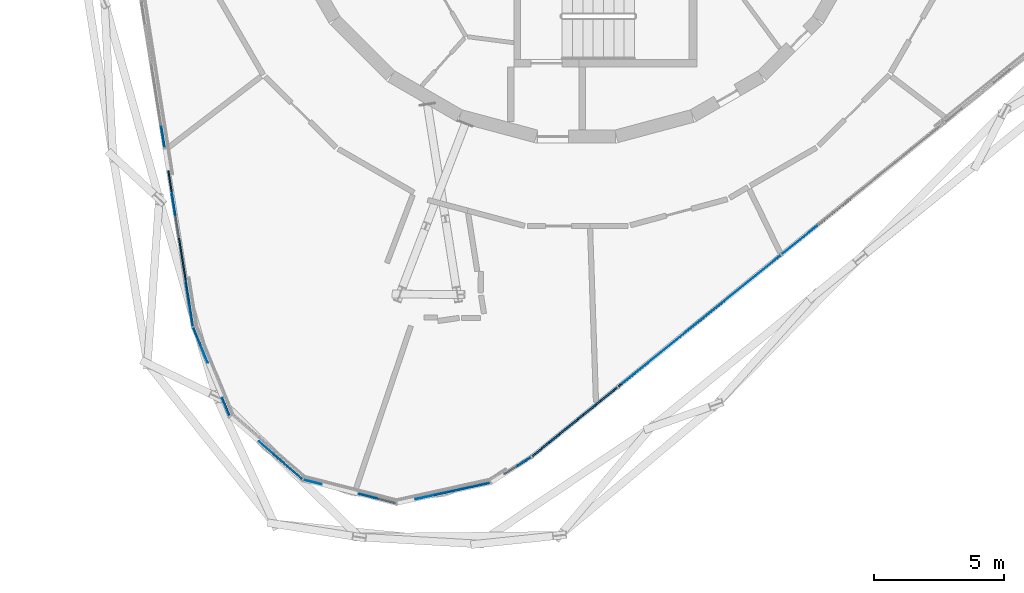
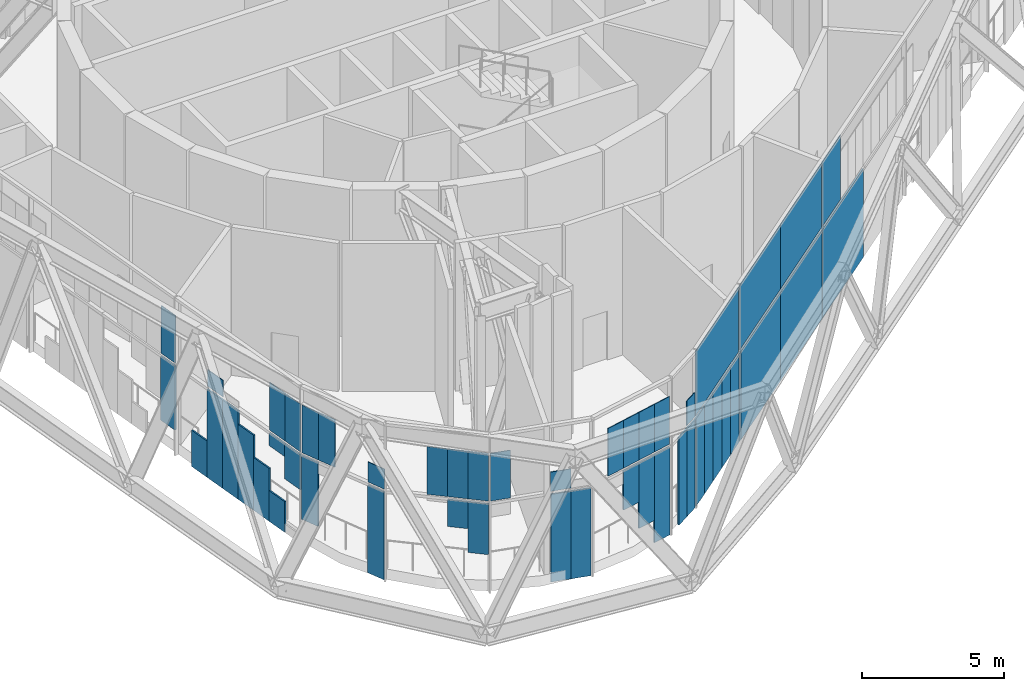
# One storey, part 10 of 25: 50 plates, 3 elements without a shape of their own.
"""IFC4 building model written with IfcOpenShell, lengths in metres."""

from ifc_helpers import new_model, si_unit, direction, frame, origin, origin_2d, place, context, subcontext, project, spatial, rectangle, extrude, material, layer, layer_set, type_object, element, aggregate, save


model = new_model("IFC4")

# Units and contexts
model_context = context("Model", 3, precision=1e-05, world=origin(), true_north=direction((0.0, 1.0)))
body_context = subcontext(model_context, "Body", "Model", "MODEL_VIEW")
ifc_project = project(units=[si_unit("LENGTHUNIT", "METRE"), si_unit("AREAUNIT", "SQUARE_METRE"), si_unit("VOLUMEUNIT", "CUBIC_METRE"), si_unit("PLANEANGLEUNIT", "RADIAN"), si_unit("MASSUNIT", "GRAM", prefix="KILO")], contexts=[model_context])

# Site, building, storey
site_placement = place(None, origin())
site = spatial("IfcSite", under=ifc_project, at=site_placement, CompositionType="ELEMENT")
building_placement = place(site_placement, origin())
building = spatial("IfcBuilding", under=site, at=building_placement, Name="Spindle Arch Residences", CompositionType="ELEMENT")
storey_placement = place(building_placement, frame((0.0, 0.0, 291.39990234375)))
storey = spatial("IfcBuildingStorey", under=building, at=storey_placement, Name="L75", CompositionType="ELEMENT", Elevation=291.39990234375)

# Curtain wall, plate
ifc_material_1 = material(Name="Aluminium bronze unitised frame with tinted glass", Category="aluminium")
ifc_layer_1 = layer(ifc_material_1, 0.159912109375)
ifc_layer_set_1 = layer_set([ifc_layer_1], Name="CW-E double-height winter garden wall")
curtain_wall_type = type_object("IfcCurtainWallType", Name="CW-E double-height winter garden wall", PredefinedType="NOTDEFINED", material=ifc_layer_set_1)
curtain_wall_1_placement = place(storey_placement, origin())
curtain_wall_1 = element("IfcCurtainWall", 1, at=curtain_wall_1_placement, inside=storey, type_object=curtain_wall_type, Name="CW-E L75 run 4", PredefinedType="NOTDEFINED")
ifc_material_2 = material(Name="Tinted laminated glass 28 mm", Category="glass")
ifc_layer_2 = layer(ifc_material_2, 0.028076171875)
ifc_layer_set_2 = layer_set([ifc_layer_2], Name="Tinted glass panel 28 mm")
plate_type_1 = type_object("IfcPlateType", Name="Tinted glass panel 28 mm", PredefinedType="CURTAIN_PANEL", material=ifc_layer_set_2)
plate_1_placement = place(storey_placement, frame((-15.9482421875, -11.6650390625, 3.460205078125), z_axis=(0.0, 0.0, 1.0), x_axis=(0.15643446504, -0.987688340595, 0.0)))
plate_1 = element("IfcPlate", 2, at=plate_1_placement, type_object=plate_type_1, Name="CW-E panel 13Bb.4", PredefinedType="CURTAIN_PANEL", context=body_context, shape_type="SweptSolid", body=[
    extrude(rectangle(XDim=0.8046875, YDim=0.028076171875, at=origin_2d()), origin(), (0.0, 0.0, 1.0), 2.0458984375),
])

# Curtain wall, plates
curtain_wall_2_placement = place(storey_placement, origin())
curtain_wall_2 = element("IfcCurtainWall", 3, at=curtain_wall_2_placement, inside=storey, type_object=curtain_wall_type, Name="CW-E L75 run 5", PredefinedType="NOTDEFINED")
plate_2_placement = place(storey_placement, frame((-15.537109375, -14.260498046875, 3.4599609375), z_axis=(0.0, 0.0, 1.0), x_axis=(0.15643446504, -0.987688340595, 0.0)))
plate_2 = element("IfcPlate", 4, at=plate_2_placement, type_object=plate_type_1, Name="CW-E panel 00b.1", PredefinedType="CURTAIN_PANEL", context=body_context, shape_type="SweptSolid", body=[
    extrude(rectangle(XDim=0.8662109375, YDim=0.028076171875, at=origin_2d()), origin(), (0.0, 0.0, 1.0), 0.710205078125),
])
plate_3_placement = place(storey_placement, frame((-14.9951171875, -17.6826171875, 3.460205078125), z_axis=(0.0, 0.0, 1.0), x_axis=(0.15643446504, -0.987688340595, 0.0)))
plate_3 = element("IfcPlate", 5, at=plate_3_placement, type_object=plate_type_1, Name="CW-E panel 00b.3", PredefinedType="CURTAIN_PANEL", context=body_context, shape_type="SweptSolid", body=[
    extrude(rectangle(XDim=0.8662109375, YDim=0.028076171875, at=origin_2d()), origin(), (0.0, 0.0, 1.0), 2.0458984375),
])
plate_4_placement = place(storey_placement, frame((-14.859619140625, -18.538330078125, 3.460205078125), z_axis=(0.0, 0.0, 1.0), x_axis=(0.15643446504, -0.987688340595, 0.0)))
plate_4 = element("IfcPlate", 6, at=plate_4_placement, type_object=plate_type_1, Name="CW-E panel 00b.4", PredefinedType="CURTAIN_PANEL", context=body_context, shape_type="SweptSolid", body=[
    extrude(rectangle(XDim=0.8662109375, YDim=0.028076171875, at=origin_2d()), origin(), (0.0, 0.0, 1.0), 2.0458984375),
])
plate_5_placement = place(storey_placement, frame((-14.63623046875, -19.362548828125, 3.460205078125), z_axis=(0.0, 0.0, 1.0), x_axis=(0.379994360085, -0.92498880334, 0.0)))
plate_5 = element("IfcPlate", 7, at=plate_5_placement, type_object=plate_type_1, Name="CW-E panel 01b.1", PredefinedType="CURTAIN_PANEL", context=body_context, shape_type="SweptSolid", body=[
    extrude(rectangle(XDim=0.7333984375, YDim=0.028076171875, at=origin_2d()), origin(), (0.0, 0.0, 1.0), 2.0458984375),
])
plate_6_placement = place(storey_placement, frame((-14.357666015625, -20.041015625, 3.460205078125), z_axis=(0.0, 0.0, 1.0), x_axis=(0.379994360085, -0.92498880334, 0.0)))
plate_6 = element("IfcPlate", 8, at=plate_6_placement, type_object=plate_type_1, Name="CW-E panel 01b.2", PredefinedType="CURTAIN_PANEL", context=body_context, shape_type="SweptSolid", body=[
    extrude(rectangle(XDim=0.7333984375, YDim=0.028076171875, at=origin_2d()), origin(), (0.0, 0.0, 1.0), 2.0458984375),
])
plate_7_placement = place(storey_placement, frame((-13.521728515625, -22.075927734375, 3.460205078125), z_axis=(0.0, 0.0, 1.0), x_axis=(0.379994360085, -0.92498880334, 0.0)))
plate_7 = element("IfcPlate", 9, at=plate_7_placement, type_object=plate_type_1, Name="CW-E panel 01b.3", PredefinedType="CURTAIN_PANEL", context=body_context, shape_type="SweptSolid", body=[
    extrude(rectangle(XDim=0.7333984375, YDim=0.028076171875, at=origin_2d()), origin(), (0.0, 0.0, 1.0), 0.861328125),
])
plate_8_placement = place(storey_placement, frame((-11.964599609375, -23.665283203125, 3.460205078125), z_axis=(0.0, 0.0, 1.0), x_axis=(0.754709583074, -0.656059025711, 0.0)))
plate_8 = element("IfcPlate", 10, at=plate_8_placement, type_object=plate_type_1, Name="CW-E panel 02b.1", PredefinedType="CURTAIN_PANEL", context=body_context, shape_type="SweptSolid", body=[
    extrude(rectangle(XDim=0.7333984375, YDim=0.028076171875, at=origin_2d()), origin(), (0.0, 0.0, 1.0), 2.0458984375),
])
plate_9_placement = place(storey_placement, frame((-11.4111328125, -24.146484375, 3.460205078125), z_axis=(0.0, 0.0, 1.0), x_axis=(0.754709583074, -0.656059025711, 0.0)))
plate_9 = element("IfcPlate", 11, at=plate_9_placement, type_object=plate_type_1, Name="CW-E panel 02b.2", PredefinedType="CURTAIN_PANEL", context=body_context, shape_type="SweptSolid", body=[
    extrude(rectangle(XDim=0.7333984375, YDim=0.028076171875, at=origin_2d()), origin(), (0.0, 0.0, 1.0), 2.0458984375),
])
plate_10_placement = place(storey_placement, frame((-10.857666015625, -24.627685546875, 3.460205078125), z_axis=(0.0, 0.0, 1.0), x_axis=(0.754709583074, -0.656059025711, 0.0)))
plate_10 = element("IfcPlate", 12, at=plate_10_placement, type_object=plate_type_1, Name="CW-E panel 02b.3", PredefinedType="CURTAIN_PANEL", context=body_context, shape_type="SweptSolid", body=[
    extrude(rectangle(XDim=0.7333984375, YDim=0.028076171875, at=origin_2d()), origin(), (0.0, 0.0, 1.0), 2.0458984375),
])
plate_11_placement = place(storey_placement, frame((-10.174072265625, -24.986083984375, 3.460205078125), z_axis=(0.0, 0.0, 1.0), x_axis=(0.968871869392, -0.247562720743, 0.0)))
plate_11 = element("IfcPlate", 13, at=plate_11_placement, type_object=plate_type_1, Name="CW-E panel 03b.1", PredefinedType="CURTAIN_PANEL", context=body_context, shape_type="SweptSolid", body=[
    extrude(rectangle(XDim=0.7333984375, YDim=0.028076171875, at=origin_2d()), origin(), (0.0, 0.0, 1.0), 2.0458984375),
])
plate_12_placement = place(storey_placement, frame((-8.04248046875, -25.53076171875, 3.4599609375), z_axis=(0.0, 0.0, 1.0), x_axis=(0.968871869392, -0.247562720743, 0.0)))
plate_12 = element("IfcPlate", 14, at=plate_12_placement, type_object=plate_type_1, Name="CW-E panel 03b.2", PredefinedType="CURTAIN_PANEL", context=body_context, shape_type="SweptSolid", body=[
    extrude(rectangle(XDim=0.7333984375, YDim=0.028076171875, at=origin_2d()), origin(), (0.0, 0.0, 1.0), 0.828369140625),
])
plate_13_placement = place(storey_placement, frame((-5.843505859375, -25.569091796875, 3.460205078125), z_axis=(0.0, 0.0, 1.0), x_axis=(0.976921473489, 0.213598770213, 0.0)))
plate_13 = element("IfcPlate", 15, at=plate_13_placement, type_object=plate_type_1, Name="CW-E panel 04b.1", PredefinedType="CURTAIN_PANEL", context=body_context, shape_type="SweptSolid", body=[
    extrude(rectangle(XDim=0.7333984375, YDim=0.028076171875, at=origin_2d()), origin(), (0.0, 0.0, 1.0), 2.0458984375),
])
plate_14_placement = place(storey_placement, frame((-5.127197265625, -25.412353515625, 3.460205078125), z_axis=(0.0, 0.0, 1.0), x_axis=(0.976921473489, 0.213598770213, 0.0)))
plate_14 = element("IfcPlate", 16, at=plate_14_placement, type_object=plate_type_1, Name="CW-E panel 04b.2", PredefinedType="CURTAIN_PANEL", context=body_context, shape_type="SweptSolid", body=[
    extrude(rectangle(XDim=0.7333984375, YDim=0.028076171875, at=origin_2d()), origin(), (0.0, 0.0, 1.0), 2.0458984375),
])
plate_15_placement = place(storey_placement, frame((-4.410888671875, -25.255859375, 3.460205078125), z_axis=(0.0, 0.0, 1.0), x_axis=(0.976921473489, 0.213598770213, 0.0)))
plate_15 = element("IfcPlate", 17, at=plate_15_placement, type_object=plate_type_1, Name="CW-E panel 04b.3", PredefinedType="CURTAIN_PANEL", context=body_context, shape_type="SweptSolid", body=[
    extrude(rectangle(XDim=0.7333984375, YDim=0.028076171875, at=origin_2d()), origin(), (0.0, 0.0, 1.0), 2.0458984375),
])
plate_16_placement = place(storey_placement, frame((-3.6943359375, -25.09912109375, 3.460205078125), z_axis=(0.0, 0.0, 1.0), x_axis=(0.976921473489, 0.213598770213, 0.0)))
plate_16 = element("IfcPlate", 18, at=plate_16_placement, type_object=plate_type_1, Name="CW-E panel 04b.4", PredefinedType="CURTAIN_PANEL", context=body_context, shape_type="SweptSolid", body=[
    extrude(rectangle(XDim=0.7333984375, YDim=0.028076171875, at=origin_2d()), origin(), (0.0, 0.0, 1.0), 2.0458984375),
])
plate_17_placement = place(storey_placement, frame((-2.002685546875, -24.18896484375, 3.4599609375), z_axis=(0.0, 0.0, 1.0), x_axis=(0.844950816658, 0.53484401224, 0.0)))
plate_17 = element("IfcPlate", 19, at=plate_17_placement, type_object=plate_type_1, Name="CW-E panel 05b.2", PredefinedType="CURTAIN_PANEL", context=body_context, shape_type="SweptSolid", body=[
    extrude(rectangle(XDim=0.60546875, YDim=0.028076171875, at=origin_2d()), origin(), (0.0, 0.0, 1.0), 1.053466796875),
])
plate_18_placement = place(storey_placement, frame((-0.0556640625, -22.662109375, 3.460205078125), z_axis=(0.0, 0.0, 1.0), x_axis=(0.777145961457, 0.62932039105, 0.0)))
plate_18 = element("IfcPlate", 20, at=plate_18_placement, type_object=plate_type_1, Name="CW-E unit 06b", PredefinedType="CURTAIN_PANEL", context=body_context, shape_type="SweptSolid", body=[
    extrude(rectangle(XDim=4.227294921875, YDim=0.028076171875, at=origin_2d()), origin(), (0.0, 0.0, 1.0), 2.77001953125),
])

curtain_wall_3_placement = place(storey_placement, origin())
curtain_wall_3 = element("IfcCurtainWall", 21, at=curtain_wall_3_placement, inside=storey, type_object=curtain_wall_type, Name="CW-E L75 run 6", PredefinedType="NOTDEFINED")
plate_19_placement = place(storey_placement, frame((3.197021484375, -20.028076171875, 3.460205078125), z_axis=(0.0, 0.0, 1.0), x_axis=(0.777145961457, 0.62932039105, 0.0)))
plate_19 = element("IfcPlate", 22, at=plate_19_placement, type_object=plate_type_1, Name="CW-E unit 18Ab", PredefinedType="CURTAIN_PANEL", context=body_context, shape_type="SweptSolid", body=[
    extrude(rectangle(XDim=4.023681640625, YDim=0.028076171875, at=origin_2d()), origin(), (0.0, 0.0, 1.0), 2.77001953125),
])
plate_20_placement = place(storey_placement, frame((6.323974609375, -17.49560546875, 3.460205078125), z_axis=(0.0, 0.0, 1.0), x_axis=(0.777145961457, 0.62932039105, 0.0)))
plate_20 = element("IfcPlate", 23, at=plate_20_placement, type_object=plate_type_1, Name="CW-E unit 18Bb", PredefinedType="CURTAIN_PANEL", context=body_context, shape_type="SweptSolid", body=[
    extrude(rectangle(XDim=4.023681640625, YDim=0.028076171875, at=origin_2d()), origin(), (0.0, 0.0, 1.0), 2.77001953125),
])
plate_21_placement = place(storey_placement, frame((8.6435546875, -15.617431640625, 3.460205078125), z_axis=(0.0, 0.0, 1.0), x_axis=(0.777145961457, 0.62932039105, 0.0)))
plate_21 = element("IfcPlate", 24, at=plate_21_placement, type_object=plate_type_1, Name="CW-E panel 19Ab.1", PredefinedType="CURTAIN_PANEL", context=body_context, shape_type="SweptSolid", body=[
    extrude(rectangle(XDim=1.82568359375, YDim=0.028076171875, at=origin_2d()), origin(), (0.0, 0.0, 1.0), 2.77001953125),
])

# Plate
ifc_material_3 = material(Name="Tinted double glazing over aluminium faced non-combustible spandrel zone (K0)", Category="aluminium")
ifc_layer_3 = layer(ifc_material_3, 0.06005859375)
ifc_layer_set_3 = layer_set([ifc_layer_3], Name="Unitised glass panel with E 60 spandrel zone")
plate_type_2 = type_object("IfcPlateType", Name="Unitised glass panel with E 60 spandrel zone", PredefinedType="CURTAIN_PANEL", material=ifc_layer_set_3)
plate_22_placement = place(storey_placement, frame((-15.9482421875, -11.6650390625, 0.595458984375), z_axis=(0.0, 0.0, 1.0), x_axis=(0.15643446504, -0.987688340595, 0.0)))
plate_22 = element("IfcPlate", 25, at=plate_22_placement, type_object=plate_type_2, Name="CW-E panel 13Ba.6", PredefinedType="CURTAIN_PANEL", context=body_context, shape_type="SweptSolid", body=[
    extrude(rectangle(XDim=0.8046875, YDim=0.06005859375, at=origin_2d()), origin(), (0.0, 0.0, 1.0), 2.74462890625),
])

aggregate(curtain_wall_1, [plate_22, plate_1])

plate_23_placement = place(storey_placement, frame((-15.672607421875, -13.405029296875, -0.44970703125), z_axis=(0.0, 0.0, 1.0), x_axis=(0.15643446504, -0.987688340595, 0.0)))
plate_23 = element("IfcPlate", 26, at=plate_23_placement, type_object=plate_type_2, Name="CW-E panel 00a.1", PredefinedType="CURTAIN_PANEL", context=body_context, shape_type="SweptSolid", body=[
    extrude(rectangle(XDim=0.8662109375, YDim=0.06005859375, at=origin_2d()), origin(), (0.0, 0.0, 1.0), 1.552490234375),
])

plate_24_placement = place(storey_placement, frame((-15.537109375, -14.260498046875, -0.449951171875), z_axis=(0.0, 0.0, 1.0), x_axis=(0.15643446504, -0.987688340595, 0.0)))
plate_24 = element("IfcPlate", 27, at=plate_24_placement, type_object=plate_type_2, Name="CW-E panel 00a.2", PredefinedType="CURTAIN_PANEL", context=body_context, shape_type="SweptSolid", body=[
    extrude(rectangle(XDim=0.8662109375, YDim=0.06005859375, at=origin_2d()), origin(), (0.0, 0.0, 1.0), 3.7900390625),
])

plate_25_placement = place(storey_placement, frame((-15.401611328125, -15.115966796875, -0.449951171875), z_axis=(0.0, 0.0, 1.0), x_axis=(0.15643446504, -0.987688340595, 0.0)))
plate_25 = element("IfcPlate", 28, at=plate_25_placement, type_object=plate_type_2, Name="CW-E panel 00a.3", PredefinedType="CURTAIN_PANEL", context=body_context, shape_type="SweptSolid", body=[
    extrude(rectangle(XDim=0.8662109375, YDim=0.06005859375, at=origin_2d()), origin(), (0.0, 0.0, 1.0), 3.7900390625),
])

plate_26_placement = place(storey_placement, frame((-15.26611328125, -15.9716796875, -0.44970703125), z_axis=(0.0, 0.0, 1.0), x_axis=(0.15643446504, -0.987688340595, 0.0)))
plate_26 = element("IfcPlate", 29, at=plate_26_placement, type_object=plate_type_2, Name="CW-E panel 00a.4", PredefinedType="CURTAIN_PANEL", context=body_context, shape_type="SweptSolid", body=[
    extrude(rectangle(XDim=0.8662109375, YDim=0.06005859375, at=origin_2d()), origin(), (0.0, 0.0, 1.0), 3.218994140625),
])

plate_27_placement = place(storey_placement, frame((-15.130615234375, -16.8271484375, -0.449951171875), z_axis=(0.0, 0.0, 1.0), x_axis=(0.15643446504, -0.987688340595, 0.0)))
plate_27 = element("IfcPlate", 30, at=plate_27_placement, type_object=plate_type_2, Name="CW-E panel 00a.5", PredefinedType="CURTAIN_PANEL", context=body_context, shape_type="SweptSolid", body=[
    extrude(rectangle(XDim=0.8662109375, YDim=0.06005859375, at=origin_2d()), origin(), (0.0, 0.0, 1.0), 2.2666015625),
])

plate_28_placement = place(storey_placement, frame((-14.9951171875, -17.6826171875, -0.44970703125), z_axis=(0.0, 0.0, 1.0), x_axis=(0.15643446504, -0.987688340595, 0.0)))
plate_28 = element("IfcPlate", 31, at=plate_28_placement, type_object=plate_type_2, Name="CW-E panel 00a.6", PredefinedType="CURTAIN_PANEL", context=body_context, shape_type="SweptSolid", body=[
    extrude(rectangle(XDim=0.8662109375, YDim=0.06005859375, at=origin_2d()), origin(), (0.0, 0.0, 1.0), 1.314208984375),
])

plate_29_placement = place(storey_placement, frame((-14.9951171875, -17.6826171875, 2.797607421875), z_axis=(0.0, 0.0, 1.0), x_axis=(0.15643446504, -0.987688340595, 0.0)))
plate_29 = element("IfcPlate", 32, at=plate_29_placement, type_object=plate_type_2, Name="CW-E panel 00a.7", PredefinedType="CURTAIN_PANEL", context=body_context, shape_type="SweptSolid", body=[
    extrude(rectangle(XDim=0.8662109375, YDim=0.06005859375, at=origin_2d()), origin(), (0.0, 0.0, 1.0), 0.54248046875),
])

plate_30_placement = place(storey_placement, frame((-14.859619140625, -18.538330078125, 1.84521484375), z_axis=(0.0, 0.0, 1.0), x_axis=(0.15643446504, -0.987688340595, 0.0)))
plate_30 = element("IfcPlate", 33, at=plate_30_placement, type_object=plate_type_2, Name="CW-E panel 00a.9", PredefinedType="CURTAIN_PANEL", context=body_context, shape_type="SweptSolid", body=[
    extrude(rectangle(XDim=0.8662109375, YDim=0.06005859375, at=origin_2d()), origin(), (0.0, 0.0, 1.0), 1.494873046875),
])

plate_31_placement = place(storey_placement, frame((-14.63623046875, -19.362548828125, 0.615966796875), z_axis=(0.0, 0.0, 1.0), x_axis=(0.379994360085, -0.92498880334, 0.0)))
plate_31 = element("IfcPlate", 34, at=plate_31_placement, type_object=plate_type_2, Name="CW-E panel 01a.1", PredefinedType="CURTAIN_PANEL", context=body_context, shape_type="SweptSolid", body=[
    extrude(rectangle(XDim=0.7333984375, YDim=0.06005859375, at=origin_2d()), origin(), (0.0, 0.0, 1.0), 2.72412109375),
])

plate_32_placement = place(storey_placement, frame((-13.521728515625, -22.075927734375, -0.419921875), z_axis=(0.0, 0.0, 1.0), x_axis=(0.379994360085, -0.92498880334, 0.0)))
plate_32 = element("IfcPlate", 35, at=plate_32_placement, type_object=plate_type_2, Name="CW-E panel 01a.3", PredefinedType="CURTAIN_PANEL", context=body_context, shape_type="SweptSolid", body=[
    extrude(rectangle(XDim=0.7333984375, YDim=0.06005859375, at=origin_2d()), origin(), (0.0, 0.0, 1.0), 3.760009765625),
])

plate_33_placement = place(storey_placement, frame((-11.4111328125, -24.146484375, 2.189697265625), z_axis=(0.0, 0.0, 1.0), x_axis=(0.754709583074, -0.656059025711, 0.0)))
plate_33 = element("IfcPlate", 36, at=plate_33_placement, type_object=plate_type_2, Name="CW-E panel 02a.2", PredefinedType="CURTAIN_PANEL", context=body_context, shape_type="SweptSolid", body=[
    extrude(rectangle(XDim=0.7333984375, YDim=0.06005859375, at=origin_2d()), origin(), (0.0, 0.0, 1.0), 1.150390625),
])

plate_34_placement = place(storey_placement, frame((-10.857666015625, -24.627685546875, 1.173095703125), z_axis=(0.0, 0.0, 1.0), x_axis=(0.754709583074, -0.656059025711, 0.0)))
plate_34 = element("IfcPlate", 37, at=plate_34_placement, type_object=plate_type_2, Name="CW-E panel 02a.3", PredefinedType="CURTAIN_PANEL", context=body_context, shape_type="SweptSolid", body=[
    extrude(rectangle(XDim=0.7333984375, YDim=0.06005859375, at=origin_2d()), origin(), (0.0, 0.0, 1.0), 2.1669921875),
])

plate_35_placement = place(storey_placement, frame((-8.04248046875, -25.53076171875, -0.419921875), z_axis=(0.0, 0.0, 1.0), x_axis=(0.968871869392, -0.247562720743, 0.0)))
plate_35 = element("IfcPlate", 38, at=plate_35_placement, type_object=plate_type_2, Name="CW-E panel 03a.2", PredefinedType="CURTAIN_PANEL", context=body_context, shape_type="SweptSolid", body=[
    extrude(rectangle(XDim=0.7333984375, YDim=0.06005859375, at=origin_2d()), origin(), (0.0, 0.0, 1.0), 3.760009765625),
])

plate_36_placement = place(storey_placement, frame((-7.331787109375, -25.712158203125, -0.419921875), z_axis=(0.0, 0.0, 1.0), x_axis=(0.968871869392, -0.247562720743, 0.0)))
plate_36 = element("IfcPlate", 39, at=plate_36_placement, type_object=plate_type_2, Name="CW-E panel 03a.3", PredefinedType="CURTAIN_PANEL", context=body_context, shape_type="SweptSolid", body=[
    extrude(rectangle(XDim=0.7333984375, YDim=0.06005859375, at=origin_2d()), origin(), (0.0, 0.0, 1.0), 3.760009765625),
])

plate_37_placement = place(storey_placement, frame((-5.127197265625, -25.412353515625, 1.669189453125), z_axis=(0.0, 0.0, 1.0), x_axis=(0.976921473489, 0.213598770213, 0.0)))
plate_37 = element("IfcPlate", 40, at=plate_37_placement, type_object=plate_type_2, Name="CW-E panel 04a.2", PredefinedType="CURTAIN_PANEL", context=body_context, shape_type="SweptSolid", body=[
    extrude(rectangle(XDim=0.7333984375, YDim=0.06005859375, at=origin_2d()), origin(), (0.0, 0.0, 1.0), 1.6708984375),
])

plate_38_placement = place(storey_placement, frame((-4.410888671875, -25.255859375, 0.539306640625), z_axis=(0.0, 0.0, 1.0), x_axis=(0.976921473489, 0.213598770213, 0.0)))
plate_38 = element("IfcPlate", 41, at=plate_38_placement, type_object=plate_type_2, Name="CW-E panel 04a.3", PredefinedType="CURTAIN_PANEL", context=body_context, shape_type="SweptSolid", body=[
    extrude(rectangle(XDim=0.7333984375, YDim=0.06005859375, at=origin_2d()), origin(), (0.0, 0.0, 1.0), 2.80078125),
])

plate_39_placement = place(storey_placement, frame((-3.6943359375, -25.09912109375, -0.419921875), z_axis=(0.0, 0.0, 1.0), x_axis=(0.976921473489, 0.213598770213, 0.0)))
plate_39 = element("IfcPlate", 42, at=plate_39_placement, type_object=plate_type_2, Name="CW-E panel 04a.4", PredefinedType="CURTAIN_PANEL", context=body_context, shape_type="SweptSolid", body=[
    extrude(rectangle(XDim=0.7333984375, YDim=0.06005859375, at=origin_2d()), origin(), (0.0, 0.0, 1.0), 3.760009765625),
])

plate_40_placement = place(storey_placement, frame((-2.51416015625, -24.5126953125, -0.419921875), z_axis=(0.0, 0.0, 1.0), x_axis=(0.844950816658, 0.53484401224, 0.0)))
plate_40 = element("IfcPlate", 43, at=plate_40_placement, type_object=plate_type_2, Name="CW-E panel 05a.1", PredefinedType="CURTAIN_PANEL", context=body_context, shape_type="SweptSolid", body=[
    extrude(rectangle(XDim=0.60546875, YDim=0.06005859375, at=origin_2d()), origin(), (0.0, 0.0, 1.0), 3.760009765625),
])

plate_41_placement = place(storey_placement, frame((-2.002685546875, -24.18896484375, -0.419921875), z_axis=(0.0, 0.0, 1.0), x_axis=(0.844950816658, 0.53484401224, 0.0)))
plate_41 = element("IfcPlate", 44, at=plate_41_placement, type_object=plate_type_2, Name="CW-E panel 05a.2", PredefinedType="CURTAIN_PANEL", context=body_context, shape_type="SweptSolid", body=[
    extrude(rectangle(XDim=0.60546875, YDim=0.06005859375, at=origin_2d()), origin(), (0.0, 0.0, 1.0), 3.760009765625),
])

plate_42_placement = place(storey_placement, frame((-1.369873046875, -23.72607421875, -0.419921875), z_axis=(0.0, 0.0, 1.0), x_axis=(0.777145961457, 0.62932039105, 0.0)))
plate_42 = element("IfcPlate", 45, at=plate_42_placement, type_object=plate_type_2, Name="CW-E panel 06a.1", PredefinedType="CURTAIN_PANEL", context=body_context, shape_type="SweptSolid", body=[
    extrude(rectangle(XDim=0.845458984375, YDim=0.06005859375, at=origin_2d()), origin(), (0.0, 0.0, 1.0), 3.760009765625),
])

plate_43_placement = place(storey_placement, frame((-0.712890625, -23.194091796875, -0.419921875), z_axis=(0.0, 0.0, 1.0), x_axis=(0.777145961457, 0.62932039105, 0.0)))
plate_43 = element("IfcPlate", 46, at=plate_43_placement, type_object=plate_type_2, Name="CW-E panel 06a.2", PredefinedType="CURTAIN_PANEL", context=body_context, shape_type="SweptSolid", body=[
    extrude(rectangle(XDim=0.845458984375, YDim=0.06005859375, at=origin_2d()), origin(), (0.0, 0.0, 1.0), 3.760009765625),
])

plate_44_placement = place(storey_placement, frame((-0.0556640625, -22.662109375, -0.419921875), z_axis=(0.0, 0.0, 1.0), x_axis=(0.777145961457, 0.62932039105, 0.0)))
plate_44 = element("IfcPlate", 47, at=plate_44_placement, type_object=plate_type_2, Name="CW-E panel 06a.3", PredefinedType="CURTAIN_PANEL", context=body_context, shape_type="SweptSolid", body=[
    extrude(rectangle(XDim=0.845458984375, YDim=0.06005859375, at=origin_2d()), origin(), (0.0, 0.0, 1.0), 3.760009765625),
])

plate_45_placement = place(storey_placement, frame((0.601318359375, -22.1298828125, -0.419921875), z_axis=(0.0, 0.0, 1.0), x_axis=(0.777145961457, 0.62932039105, 0.0)))
plate_45 = element("IfcPlate", 48, at=plate_45_placement, type_object=plate_type_2, Name="CW-E panel 06a.4", PredefinedType="CURTAIN_PANEL", context=body_context, shape_type="SweptSolid", body=[
    extrude(rectangle(XDim=0.845458984375, YDim=0.06005859375, at=origin_2d()), origin(), (0.0, 0.0, 1.0), 3.760009765625),
])

plate_46_placement = place(storey_placement, frame((1.25830078125, -21.597900390625, -0.419921875), z_axis=(0.0, 0.0, 1.0), x_axis=(0.777145961457, 0.62932039105, 0.0)))
plate_46 = element("IfcPlate", 49, at=plate_46_placement, type_object=plate_type_2, Name="CW-E panel 06a.5", PredefinedType="CURTAIN_PANEL", context=body_context, shape_type="SweptSolid", body=[
    extrude(rectangle(XDim=0.845458984375, YDim=0.06005859375, at=origin_2d()), origin(), (0.0, 0.0, 1.0), 3.760009765625),
])

aggregate(curtain_wall_2, [plate_23, plate_24, plate_25, plate_26, plate_27, plate_28, plate_29, plate_30, plate_2, plate_3, plate_4, plate_31, plate_32, plate_5, plate_6, plate_7, plate_33, plate_34, plate_8, plate_9, plate_10, plate_35, plate_36, plate_11, plate_12, plate_37, plate_38, plate_39, plate_13, plate_14, plate_15, plate_16, plate_40, plate_41, plate_17, plate_42, plate_43, plate_44, plate_45, plate_46, plate_18])

plate_47_placement = place(storey_placement, frame((1.683349609375, -21.25390625, -0.42138671875), z_axis=(0.0, 0.0, 1.0), x_axis=(0.777145961457, 0.62932039105, 0.0)))
plate_47 = element("IfcPlate", 50, at=plate_47_placement, type_object=plate_type_2, Name="CW-E panel 18Aa.1", PredefinedType="CURTAIN_PANEL", context=body_context, shape_type="SweptSolid", body=[
    extrude(rectangle(XDim=0.128173828125, YDim=0.06005859375, at=origin_2d()), origin(), (0.0, 0.0, 1.0), 3.761474609375),
])

plate_48_placement = place(storey_placement, frame((3.246826171875, -19.987548828125, -0.449951171875), z_axis=(0.0, 0.0, 1.0), x_axis=(0.777145961457, 0.62932039105, 0.0)))
plate_48 = element("IfcPlate", 51, at=plate_48_placement, type_object=plate_type_2, Name="CW-E panel 18Aa.2", PredefinedType="CURTAIN_PANEL", context=body_context, shape_type="SweptSolid", body=[
    extrude(rectangle(XDim=3.895751953125, YDim=0.06005859375, at=origin_2d()), origin(), (0.0, 0.0, 1.0), 3.7900390625),
])

plate_49_placement = place(storey_placement, frame((6.323974609375, -17.49560546875, -0.449951171875), z_axis=(0.0, 0.0, 1.0), x_axis=(0.777145961457, 0.62932039105, 0.0)))
plate_49 = element("IfcPlate", 52, at=plate_49_placement, type_object=plate_type_2, Name="CW-E unit 18Ba", PredefinedType="CURTAIN_PANEL", context=body_context, shape_type="SweptSolid", body=[
    extrude(rectangle(XDim=4.023681640625, YDim=0.06005859375, at=origin_2d()), origin(), (0.0, 0.0, 1.0), 3.7900390625),
])

plate_50_placement = place(storey_placement, frame((9.497802734375, -14.92578125, -0.449951171875), z_axis=(0.0, 0.0, 1.0), x_axis=(0.777145961457, 0.62932039105, 0.0)))
plate_50 = element("IfcPlate", 53, at=plate_50_placement, type_object=plate_type_2, Name="CW-E unit 19Aa", PredefinedType="CURTAIN_PANEL", context=body_context, shape_type="SweptSolid", body=[
    extrude(rectangle(XDim=4.023681640625, YDim=0.06005859375, at=origin_2d()), origin(), (0.0, 0.0, 1.0), 3.7900390625),
])

aggregate(curtain_wall_3, [plate_47, plate_48, plate_19, plate_49, plate_20, plate_50, plate_21])

save(model, "model.ifc")
